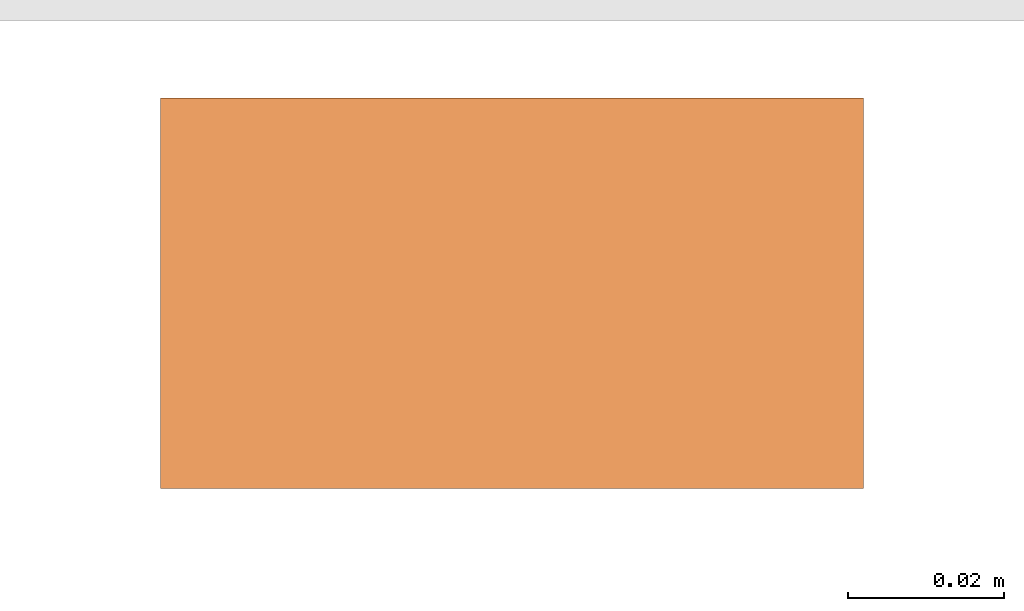
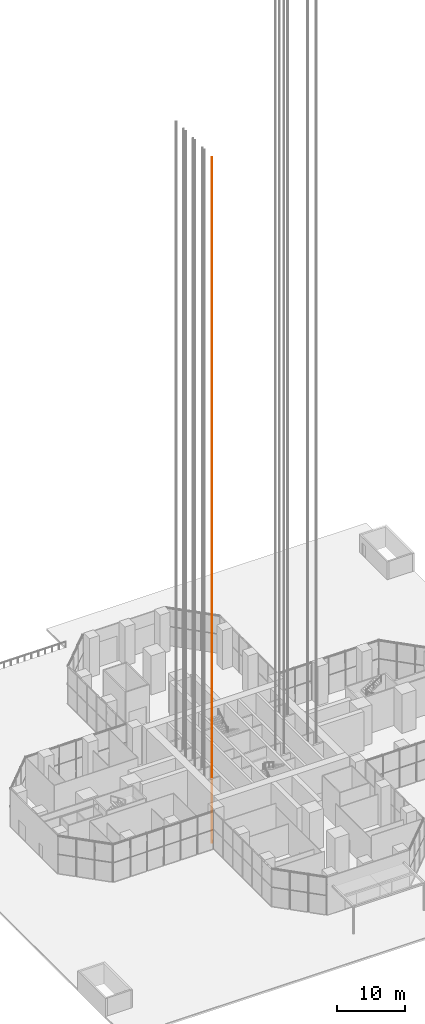
# One storey, part 30 of 43: 1 proxy.
"""IFC4 building model written with IfcOpenShell, lengths in metres."""

from ifc_helpers import new_model, si_unit, direction, frame, origin, origin_2d, place, context, subcontext, project, spatial, rectangle, extrude, material, element, save


model = new_model("IFC4")

# Units and contexts
model_context = context("Model", 3, precision=1e-05, world=origin(), true_north=direction((0.0, 1.0)))
body_context = subcontext(model_context, "Body", "Model", "MODEL_VIEW")
ifc_project = project(units=[si_unit("LENGTHUNIT", "METRE"), si_unit("AREAUNIT", "SQUARE_METRE"), si_unit("VOLUMEUNIT", "CUBIC_METRE"), si_unit("PLANEANGLEUNIT", "RADIAN"), si_unit("MASSUNIT", "GRAM", prefix="KILO")], contexts=[model_context])

# Site, building, storey
site_placement = place(None, origin())
site = spatial("IfcSite", under=ifc_project, at=site_placement, CompositionType="ELEMENT")
building_placement = place(site_placement, origin())
building = spatial("IfcBuilding", under=site, at=building_placement, Name="Mizan Broadcast Tower", CompositionType="ELEMENT")
storey_placement = place(building_placement, origin())
storey = spatial("IfcBuildingStorey", under=building, at=storey_placement, Name="L00", CompositionType="ELEMENT", Elevation=0.0)

# Proxy
ifc_material = material(Name="Steel guide rail", Category="steel")
proxy_placement = place(storey_placement, frame((-8.800048828125, -5.260009765625, -5.0), z_axis=(0.0, 0.0, 1.0), x_axis=(1.0, 0.0, 0.0)))
element("IfcBuildingElementProxy", 1, at=proxy_placement, inside=storey, material=ifc_material, Name="Guide rail LA1-1", PredefinedType="NOTDEFINED", context=body_context, shape_type="SweptSolid", body=[
    extrude(rectangle(XDim=0.090087890625, YDim=0.050048828125, at=origin_2d()), origin(), (0.0, 0.0, 1.0), 122.969970703125),
])

save(model, "model.ifc")
